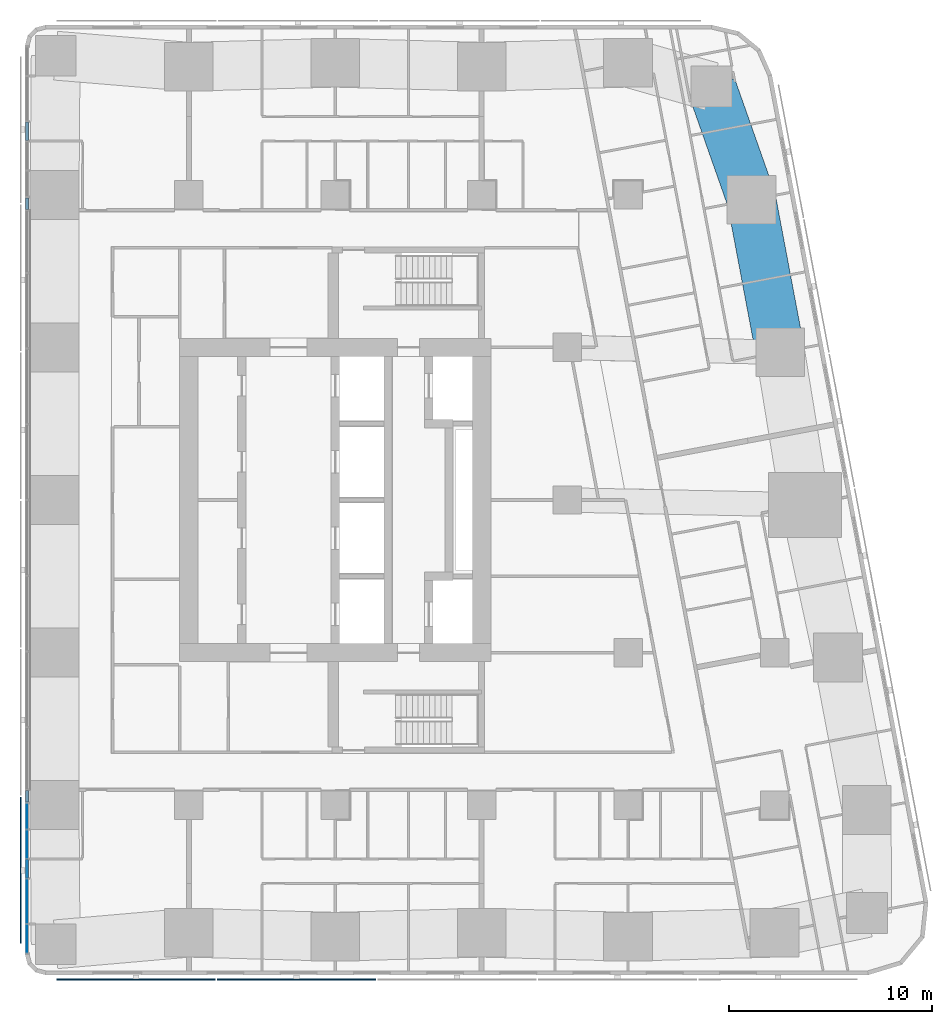
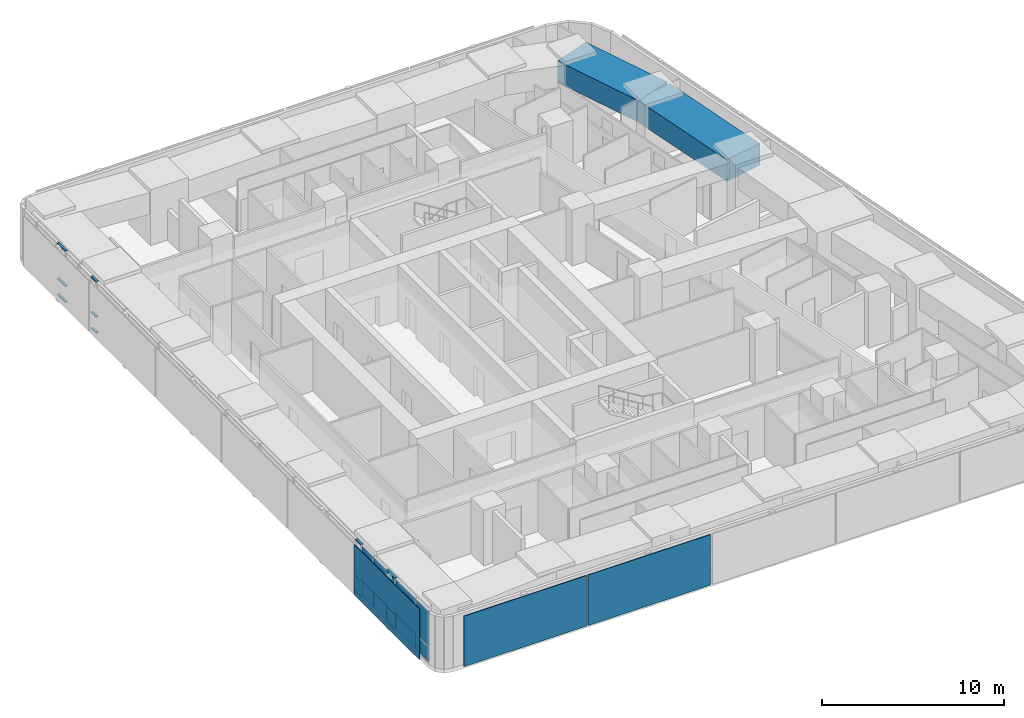
# One storey, part 6 of 19: 13 plates, 12 members, 2 beams, 1 element without a shape of its own.
"""IFC4 building model written with IfcOpenShell, lengths in metres."""

from ifc_helpers import new_model, si_unit, direction, frame, origin, origin_2d, place, context, subcontext, project, spatial, rectangle, extrude, material, layer, layer_set, material_profile, profile_set, type_object, element, aggregate, save


model = new_model("IFC4")

# Units and contexts
model_context = context("Model", 3, precision=1e-05, world=origin(), true_north=direction((0.0, 1.0)))
body_context = subcontext(model_context, "Body", "Model", "MODEL_VIEW")
ifc_project = project(units=[si_unit("LENGTHUNIT", "METRE"), si_unit("AREAUNIT", "SQUARE_METRE"), si_unit("VOLUMEUNIT", "CUBIC_METRE"), si_unit("PLANEANGLEUNIT", "RADIAN"), si_unit("MASSUNIT", "GRAM", prefix="KILO")], contexts=[model_context])

# Site, building, storey
site_placement = place(None, origin())
site = spatial("IfcSite", under=ifc_project, at=site_placement, CompositionType="ELEMENT")
building_placement = place(site_placement, origin())
building = spatial("IfcBuilding", under=site, at=building_placement, Name="Sheger Commons Tower", CompositionType="ELEMENT")
storey_placement = place(building_placement, frame((0.0, 0.0, 197.449951171875)))
storey = spatial("IfcBuildingStorey", under=building, at=storey_placement, Name="L50", CompositionType="ELEMENT", Elevation=197.449951171875)

# Beams
ifc_material_1 = material(Name="Concrete C50/60", Category="concrete")
ifc_material_profile_1 = material_profile(ifc_material_1, rectangle(XDim=2.39990234375, YDim=1.449951171875, at=origin_2d()), Name="RC 2400x1450")
ifc_profile_set_1 = profile_set([ifc_material_profile_1], Name="Concrete C50/60")
beam_type = type_object("IfcBeamType", Name="SPANDREL RC 2400x1450", PredefinedType="SPANDREL", material=ifc_profile_set_1)
beam_1_placement = place(storey_placement, frame((43.47998046875, 29.762939453125, 2.775146484375), z_axis=(-0.18552441405, 0.982639655108, 0.0), x_axis=(-0.982639655108, -0.18552441405, 0.0)))
element("IfcBeam", 1, at=beam_1_placement, inside=storey, type_object=beam_type, Name="Beam E/E-E/F under L51", PredefinedType="SPANDREL", context=body_context, shape_type="SweptSolid", body=[
    extrude(rectangle(XDim=2.39990234375, YDim=1.449951171875, at=origin_2d()), origin(), (0.0, 0.0, 1.0), 7.632568359375),
])
beam_2_placement = place(storey_placement, frame((42.06396484375, 37.262939453125, 2.775146484375), z_axis=(-0.332374403357, 0.943147526102, 0.0), x_axis=(-0.943147526102, -0.332374403357, 0.0)))
element("IfcBeam", 2, at=beam_2_placement, inside=storey, type_object=beam_type, Name="Beam E/F-41.490,44.505 under L51", PredefinedType="SPANDREL", context=body_context, shape_type="SweptSolid", body=[
    extrude(rectangle(XDim=2.39990234375, YDim=1.449951171875, at=origin_2d()), origin(), (0.0, 0.0, 1.0), 5.90283203125),
])

# Curtain wall, members, plates
ifc_material_2 = material(Name="Black aluminium curtain wall, dark tinted glazing", Category="aluminium")
curtain_wall_type = type_object("IfcCurtainWallType", Name="CURTAIN WALL CW4 GALLERY", PredefinedType="USERDEFINED", material=ifc_material_2)
curtain_wall_placement = place(storey_placement, origin())
curtain_wall = element("IfcCurtainWall", 3, at=curtain_wall_placement, inside=storey, type_object=curtain_wall_type, Name="Curtain Wall Cw4 Gallery W1 L50", ObjectType="UNITISED CURTAIN WALL", PredefinedType="USERDEFINED")
ifc_material_3 = material(Name="Black anodised aluminium", Category="aluminium")
ifc_material_profile_2 = material_profile(ifc_material_3, rectangle(XDim=0.14990234375, YDim=0.06494140625, at=origin_2d()), Name="AL 65x150")
ifc_profile_set_2 = profile_set([ifc_material_profile_2], Name="Black anodised aluminium")
member_type = type_object("IfcMemberType", Name="TRANSOM AL 65x150", PredefinedType="USERDEFINED", material=ifc_profile_set_2)
member_1_placement = place(storey_placement, frame((6.449951171875, 41.08154296875, 0.032470703125), z_axis=(0.0, -1.0, 0.0), x_axis=(1.0, 0.0, 0.0)))
member_1 = element("IfcMember", 4, at=member_1_placement, type_object=member_type, Name="CW4 transom 3.1", ObjectType="TRANSOM", PredefinedType="USERDEFINED", context=body_context, shape_type="SweptSolid", body=[
    extrude(rectangle(XDim=0.14990234375, YDim=0.06494140625, at=origin_2d()), origin(), (0.0, 0.0, 1.0), 0.89892578125),
])
member_2_placement = place(storey_placement, frame((6.449951171875, 41.08154296875, 1.10009765625), z_axis=(0.0, -1.0, 0.0), x_axis=(1.0, 0.0, 0.0)))
member_2 = element("IfcMember", 5, at=member_2_placement, type_object=member_type, Name="CW4 transom 3.2", ObjectType="TRANSOM", PredefinedType="USERDEFINED", context=body_context, shape_type="SweptSolid", body=[
    extrude(rectangle(XDim=0.14990234375, YDim=0.06494140625, at=origin_2d()), origin(), (0.0, 0.0, 1.0), 0.89892578125),
])
member_3_placement = place(storey_placement, frame((6.449951171875, 41.08154296875, 3.467529296875), z_axis=(0.0, -1.0, 0.0), x_axis=(1.0, 0.0, 0.0)))
member_3 = element("IfcMember", 6, at=member_3_placement, type_object=member_type, Name="CW4 transom 3.3", ObjectType="TRANSOM", PredefinedType="USERDEFINED", context=body_context, shape_type="SweptSolid", body=[
    extrude(rectangle(XDim=0.14990234375, YDim=0.06494140625, at=origin_2d()), origin(), (0.0, 0.0, 1.0), 0.89892578125),
])
member_4_placement = place(storey_placement, frame((6.449951171875, 37.3583984375, 0.032470703125), z_axis=(0.0, -1.0, 0.0), x_axis=(1.0, 0.0, 0.0)))
member_4 = element("IfcMember", 7, at=member_4_placement, type_object=member_type, Name="CW4 transom 6.1", ObjectType="TRANSOM", PredefinedType="USERDEFINED", context=body_context, shape_type="SweptSolid", body=[
    extrude(rectangle(XDim=0.14990234375, YDim=0.06494140625, at=origin_2d()), origin(), (0.0, 0.0, 1.0), 0.575927734375),
])
member_5_placement = place(storey_placement, frame((6.449951171875, 37.3583984375, 1.10009765625), z_axis=(0.0, -1.0, 0.0), x_axis=(1.0, 0.0, 0.0)))
member_5 = element("IfcMember", 8, at=member_5_placement, type_object=member_type, Name="CW4 transom 6.2", ObjectType="TRANSOM", PredefinedType="USERDEFINED", context=body_context, shape_type="SweptSolid", body=[
    extrude(rectangle(XDim=0.14990234375, YDim=0.06494140625, at=origin_2d()), origin(), (0.0, 0.0, 1.0), 0.575927734375),
])
member_6_placement = place(storey_placement, frame((6.449951171875, 37.3583984375, 3.467529296875), z_axis=(0.0, -1.0, 0.0), x_axis=(1.0, 0.0, 0.0)))
member_6 = element("IfcMember", 9, at=member_6_placement, type_object=member_type, Name="CW4 transom 6.3", ObjectType="TRANSOM", PredefinedType="USERDEFINED", context=body_context, shape_type="SweptSolid", body=[
    extrude(rectangle(XDim=0.14990234375, YDim=0.06494140625, at=origin_2d()), origin(), (0.0, 0.0, 1.0), 0.575927734375),
])
member_7_placement = place(storey_placement, frame((6.449951171875, 8.217529296875, 0.032470703125), z_axis=(0.0, -1.0, 0.0), x_axis=(1.0, 0.0, 0.0)))
member_7 = element("IfcMember", 10, at=member_7_placement, type_object=member_type, Name="CW4 transom 15.1", ObjectType="TRANSOM", PredefinedType="USERDEFINED", context=body_context, shape_type="SweptSolid", body=[
    extrude(rectangle(XDim=0.14990234375, YDim=0.06494140625, at=origin_2d()), origin(), (0.0, 0.0, 1.0), 0.575927734375),
])
member_8_placement = place(storey_placement, frame((6.449951171875, 8.217529296875, 1.10009765625), z_axis=(0.0, -1.0, 0.0), x_axis=(1.0, 0.0, 0.0)))
member_8 = element("IfcMember", 11, at=member_8_placement, type_object=member_type, Name="CW4 transom 15.2", ObjectType="TRANSOM", PredefinedType="USERDEFINED", context=body_context, shape_type="SweptSolid", body=[
    extrude(rectangle(XDim=0.14990234375, YDim=0.06494140625, at=origin_2d()), origin(), (0.0, 0.0, 1.0), 0.575927734375),
])
member_9_placement = place(storey_placement, frame((6.449951171875, 8.217529296875, 3.467529296875), z_axis=(0.0, -1.0, 0.0), x_axis=(1.0, 0.0, 0.0)))
member_9 = element("IfcMember", 12, at=member_9_placement, type_object=member_type, Name="CW4 transom 15.3", ObjectType="TRANSOM", PredefinedType="USERDEFINED", context=body_context, shape_type="SweptSolid", body=[
    extrude(rectangle(XDim=0.14990234375, YDim=0.06494140625, at=origin_2d()), origin(), (0.0, 0.0, 1.0), 0.575927734375),
])
member_10_placement = place(storey_placement, frame((6.449951171875, 4.8173828125, 0.032470703125), z_axis=(0.0, -1.0, 0.0), x_axis=(1.0, 0.0, 0.0)))
member_10 = element("IfcMember", 13, at=member_10_placement, type_object=member_type, Name="CW4 transom 18.1", ObjectType="TRANSOM", PredefinedType="USERDEFINED", context=body_context, shape_type="SweptSolid", body=[
    extrude(rectangle(XDim=0.14990234375, YDim=0.06494140625, at=origin_2d()), origin(), (0.0, 0.0, 1.0), 0.89892578125),
])
member_11_placement = place(storey_placement, frame((6.449951171875, 4.8173828125, 1.10009765625), z_axis=(0.0, -1.0, 0.0), x_axis=(1.0, 0.0, 0.0)))
member_11 = element("IfcMember", 14, at=member_11_placement, type_object=member_type, Name="CW4 transom 18.2", ObjectType="TRANSOM", PredefinedType="USERDEFINED", context=body_context, shape_type="SweptSolid", body=[
    extrude(rectangle(XDim=0.14990234375, YDim=0.06494140625, at=origin_2d()), origin(), (0.0, 0.0, 1.0), 0.89892578125),
])
member_12_placement = place(storey_placement, frame((6.449951171875, 4.8173828125, 3.467529296875), z_axis=(0.0, -1.0, 0.0), x_axis=(1.0, 0.0, 0.0)))
member_12 = element("IfcMember", 15, at=member_12_placement, type_object=member_type, Name="CW4 transom 18.3", ObjectType="TRANSOM", PredefinedType="USERDEFINED", context=body_context, shape_type="SweptSolid", body=[
    extrude(rectangle(XDim=0.14990234375, YDim=0.06494140625, at=origin_2d()), origin(), (0.0, 0.0, 1.0), 0.89892578125),
])
ifc_material_4 = material(Name="Dark tinted double glazing", Category="glass")
ifc_layer_1 = layer(ifc_material_4, 0.031982421875)
ifc_layer_set_1 = layer_set([ifc_layer_1], Name="GLAZED PANEL 32")
plate_type_1 = type_object("IfcPlateType", Name="GLAZED PANEL 32", PredefinedType="CURTAIN_PANEL", material=ifc_layer_set_1)
plate_1_placement = place(storey_placement, frame((6.449951171875, 6.95458984375, 0.065185546875), z_axis=(0.0, 0.0, 1.0), x_axis=(0.0, -1.0, 0.0)))
plate_1 = element("IfcPlate", 16, at=plate_1_placement, type_object=plate_type_1, Name="CW4 panel 16.1", PredefinedType="CURTAIN_PANEL", context=body_context, shape_type="SweptSolid", body=[
    extrude(rectangle(XDim=1.243896484375, YDim=0.031982421875, at=origin_2d()), origin(), (0.0, 0.0, 1.0), 1.00244140625),
])
plate_2_placement = place(storey_placement, frame((6.449951171875, 6.95458984375, 1.13232421875), z_axis=(0.0, 0.0, 1.0), x_axis=(0.0, -1.0, 0.0)))
plate_2 = element("IfcPlate", 17, at=plate_2_placement, type_object=plate_type_1, Name="CW4 panel 16.2", PredefinedType="CURTAIN_PANEL", context=body_context, shape_type="SweptSolid", body=[
    extrude(rectangle(XDim=1.243896484375, YDim=0.031982421875, at=origin_2d()), origin(), (0.0, 0.0, 1.0), 2.302490234375),
])
plate_3_placement = place(storey_placement, frame((6.449951171875, 5.574951171875, 0.065185546875), z_axis=(0.0, 0.0, 1.0), x_axis=(0.0, -1.0, 0.0)))
plate_3 = element("IfcPlate", 18, at=plate_3_placement, type_object=plate_type_1, Name="CW4 panel 17.1", PredefinedType="CURTAIN_PANEL", context=body_context, shape_type="SweptSolid", body=[
    extrude(rectangle(XDim=1.385009765625, YDim=0.031982421875, at=origin_2d()), origin(), (0.0, 0.0, 1.0), 1.00244140625),
])
plate_4_placement = place(storey_placement, frame((6.449951171875, 5.574951171875, 1.13232421875), z_axis=(0.0, 0.0, 1.0), x_axis=(0.0, -1.0, 0.0)))
plate_4 = element("IfcPlate", 19, at=plate_4_placement, type_object=plate_type_1, Name="CW4 panel 17.2", PredefinedType="CURTAIN_PANEL", context=body_context, shape_type="SweptSolid", body=[
    extrude(rectangle(XDim=1.385009765625, YDim=0.031982421875, at=origin_2d()), origin(), (0.0, 0.0, 1.0), 2.302490234375),
])
plate_5_placement = place(storey_placement, frame((6.449951171875, 4.367919921875, 0.065185546875), z_axis=(0.0, 0.0, 1.0), x_axis=(0.0, -1.0, 0.0)))
plate_5 = element("IfcPlate", 20, at=plate_5_placement, type_object=plate_type_1, Name="CW4 panel 18.1", PredefinedType="CURTAIN_PANEL", context=body_context, shape_type="SweptSolid", body=[
    extrude(rectangle(XDim=0.89892578125, YDim=0.031982421875, at=origin_2d()), origin(), (0.0, 0.0, 1.0), 1.00244140625),
])
plate_6_placement = place(storey_placement, frame((6.449951171875, 4.367919921875, 1.13232421875), z_axis=(0.0, 0.0, 1.0), x_axis=(0.0, -1.0, 0.0)))
plate_6 = element("IfcPlate", 21, at=plate_6_placement, type_object=plate_type_1, Name="CW4 panel 18.2", PredefinedType="CURTAIN_PANEL", context=body_context, shape_type="SweptSolid", body=[
    extrude(rectangle(XDim=0.89892578125, YDim=0.031982421875, at=origin_2d()), origin(), (0.0, 0.0, 1.0), 2.302490234375),
])
plate_7_placement = place(storey_placement, frame((6.449951171875, 2.77001953125, 0.065185546875), z_axis=(0.0, 0.0, 1.0), x_axis=(0.0, -1.0, 0.0)))
plate_7 = element("IfcPlate", 22, at=plate_7_placement, type_object=plate_type_1, Name="CW4 panel 19.1", PredefinedType="CURTAIN_PANEL", context=body_context, shape_type="SweptSolid", body=[
    extrude(rectangle(XDim=2.1669921875, YDim=0.031982421875, at=origin_2d()), origin(), (0.0, 0.0, 1.0), 1.00244140625),
])
plate_8_placement = place(storey_placement, frame((6.449951171875, 2.77001953125, 1.13232421875), z_axis=(0.0, 0.0, 1.0), x_axis=(0.0, -1.0, 0.0)))
plate_8 = element("IfcPlate", 23, at=plate_8_placement, type_object=plate_type_1, Name="CW4 panel 19.2", PredefinedType="CURTAIN_PANEL", context=body_context, shape_type="SweptSolid", body=[
    extrude(rectangle(XDim=2.1669921875, YDim=0.031982421875, at=origin_2d()), origin(), (0.0, 0.0, 1.0), 2.302490234375),
])
plate_9_placement = place(storey_placement, frame((6.449951171875, 0.9248046875, 0.065185546875), z_axis=(0.0, 0.0, 1.0), x_axis=(0.0, -1.0, 0.0)))
plate_9 = element("IfcPlate", 24, at=plate_9_placement, type_object=plate_type_1, Name="CW4 panel 20.1", PredefinedType="CURTAIN_PANEL", context=body_context, shape_type="SweptSolid", body=[
    extrude(rectangle(XDim=1.3935546875, YDim=0.031982421875, at=origin_2d()), origin(), (0.0, 0.0, 1.0), 1.00244140625),
])
plate_10_placement = place(storey_placement, frame((6.449951171875, 0.9248046875, 1.13232421875), z_axis=(0.0, 0.0, 1.0), x_axis=(0.0, -1.0, 0.0)))
plate_10 = element("IfcPlate", 25, at=plate_10_placement, type_object=plate_type_1, Name="CW4 panel 20.2", PredefinedType="CURTAIN_PANEL", context=body_context, shape_type="SweptSolid", body=[
    extrude(rectangle(XDim=1.3935546875, YDim=0.031982421875, at=origin_2d()), origin(), (0.0, 0.0, 1.0), 2.302490234375),
])
aggregate(curtain_wall, [member_1, member_2, member_3, member_4, member_5, member_6, member_7, member_8, member_9, plate_1, plate_2, plate_3, plate_4, member_10, member_11, member_12, plate_5, plate_6, plate_7, plate_8, plate_9, plate_10])

# Plates
ifc_material_5 = material(Name="Perforated black anodised aluminium screen", Category="aluminium")
ifc_layer_2 = layer(ifc_material_5, 0.050048828125)
ifc_layer_set_2 = layer_set([ifc_layer_2], Name="SOLAR SCREEN SCREEN-1")
plate_type_2 = type_object("IfcPlateType", Name="SOLAR SCREEN SCREEN-1", PredefinedType="USERDEFINED", material=ifc_layer_set_2)
for number, where, z_axis, x_axis, name in (
    (26, (11.7958984375, -1.074951171875, 0.050048828125), (0.0, 0.0, 1.0), (1.0, 0.0, 0.0), "Perforated solar screen panel"),
    (27, (19.68701171875, -1.074951171875, 0.050048828125), (0.0, 0.0, 1.0), (1.0, 0.0, 0.0), "Perforated solar screen panel"),
):
    element("IfcPlate", number, at=place(storey_placement, frame(where, z_axis=z_axis, x_axis=x_axis)), inside=storey, type_object=plate_type_2, Name=name, ObjectType="SCREEN", PredefinedType="USERDEFINED", context=body_context, shape_type="SweptSolid", body=[
        extrude(rectangle(XDim=7.791015625, YDim=0.050048828125, at=origin_2d()), origin(), (0.0, 0.0, 1.0), 3.39990234375),
    ])
plate_11_placement = place(storey_placement, frame((6.125, 4.2919921875, 0.050048828125), z_axis=(0.0, 0.0, 1.0), x_axis=(0.0, -1.0, 0.0)))
element("IfcPlate", 28, at=plate_11_placement, inside=storey, type_object=plate_type_2, Name="Perforated solar screen panel", ObjectType="SCREEN", PredefinedType="USERDEFINED", context=body_context, shape_type="SweptSolid", body=[
    extrude(rectangle(XDim=7.18310546875, YDim=0.050048828125, at=origin_2d()), origin(), (0.0, 0.0, 1.0), 3.39990234375),
])

save(model, "model.ifc")
